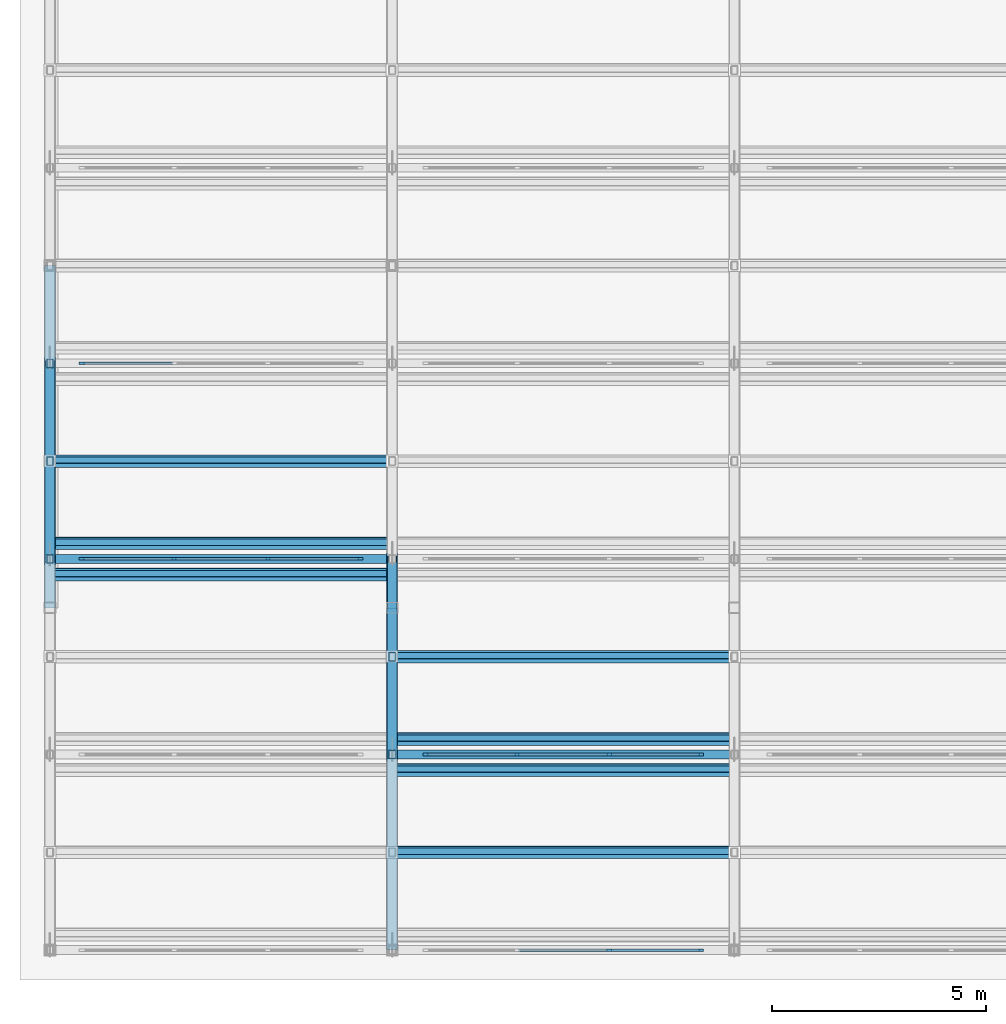
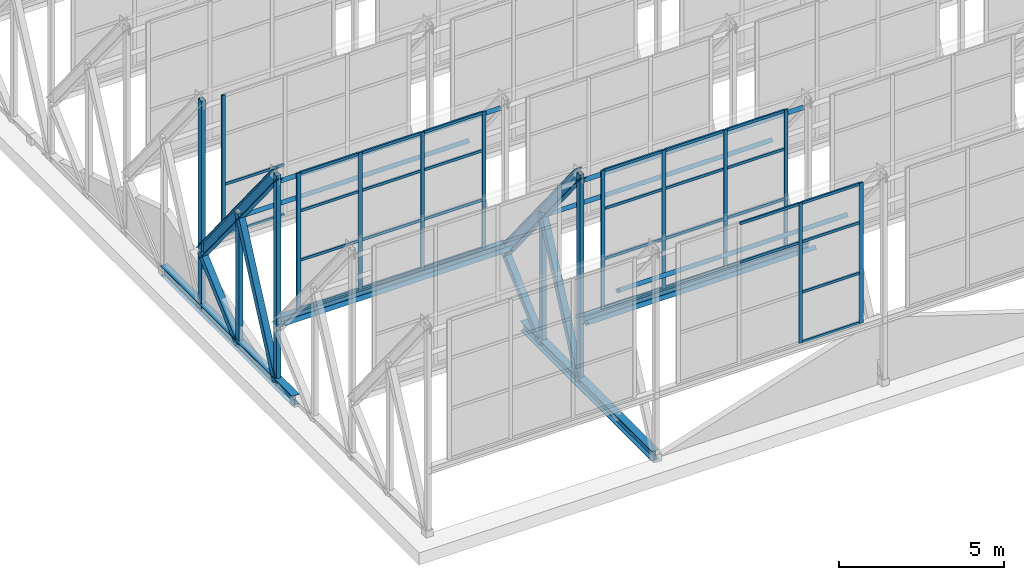
# One storey, part 7 of 34: 61 members, 4 beams, 4 elements without a shape of their own.
"""IFC4 building model written with IfcOpenShell, lengths in metres."""

from ifc_helpers import new_model, si_unit, direction, frame, origin, origin_2d, place, context, subcontext, project, spatial, rectangle, hollow_rectangle, i_section, extrude, material, layer, layer_set, material_profile, profile_set, type_object, element, aggregate, save


model = new_model("IFC4")

# Units and contexts
model_context = context("Model", 3, precision=1e-05, world=origin(), true_north=direction((0.0, 1.0)))
body_context = subcontext(model_context, "Body", "Model", "MODEL_VIEW")
ifc_project = project(units=[si_unit("LENGTHUNIT", "METRE"), si_unit("AREAUNIT", "SQUARE_METRE"), si_unit("VOLUMEUNIT", "CUBIC_METRE"), si_unit("PLANEANGLEUNIT", "RADIAN"), si_unit("MASSUNIT", "GRAM", prefix="KILO")], contexts=[model_context])

# Site, building, storey
site_placement = place(None, origin())
site = spatial("IfcSite", under=ifc_project, at=site_placement, CompositionType="ELEMENT")
building_placement = place(site_placement, origin())
building = spatial("IfcBuilding", under=site, at=building_placement, Name="Qorikala Patio Media Centre", CompositionType="ELEMENT")
storey_placement = place(building_placement, frame((0.0, 0.0, 32.699951171875)))
storey = spatial("IfcBuildingStorey", under=building, at=storey_placement, Name="RF", CompositionType="ELEMENT", Elevation=32.699951171875)

# Members
ifc_material_1 = material(Name="Steel S355", Category="steel")
ifc_material_profile_1 = material_profile(ifc_material_1, hollow_rectangle(XDim=0.219970703125, YDim=0.219970703125, WallThickness=0.010009765625, at=origin_2d()), Name="HSS220X220X10")
ifc_profile_set_1 = profile_set([ifc_material_profile_1], Name="Steel S355")
member_type_1 = type_object("IfcMemberType", Name="BRACE-HSS220", PredefinedType="BRACE", material=ifc_profile_set_1)
member_1_placement = place(storey_placement, frame((3.0, 12.142822265625, 0.35009765625), z_axis=(0.0, 0.424545396895, 0.90540665227), x_axis=(-1.0, 0.0, 0.0)))
element("IfcMember", 1, at=member_1_placement, inside=storey, type_object=member_type_1, Name="SAW-V1 Truss 1 Bay 3 Web Diagonal 1", PredefinedType="BRACE", context=body_context, shape_type="SweptSolid", body=[
    extrude(hollow_rectangle(XDim=0.219970703125, YDim=0.219970703125, WallThickness=0.010009765625, at=origin_2d()), origin(), (0.0, 0.0, 1.0), 5.38427734375),
])
member_2_placement = place(storey_placement, frame((3.0, 14.4287109375, 0.35009765625), z_axis=(0.0, 0.744431778243, 0.667698530432), x_axis=(-1.0, 0.0, 0.0)))
element("IfcMember", 2, at=member_2_placement, inside=storey, type_object=member_type_1, Name="SAW-V1 Truss 1 Bay 3 Web Diagonal 2", PredefinedType="BRACE", context=body_context, shape_type="SweptSolid", body=[
    extrude(hollow_rectangle(XDim=0.219970703125, YDim=0.219970703125, WallThickness=0.010009765625, at=origin_2d()), origin(), (0.0, 0.0, 1.0), 3.0703125),
])
member_3_placement = place(storey_placement, frame((11.0, 7.5712890625, 0.35009765625), z_axis=(0.0, 0.424545396895, 0.90540665227), x_axis=(-1.0, 0.0, 0.0)))
element("IfcMember", 3, at=member_3_placement, inside=storey, type_object=member_type_1, Name="SAW-V1 Truss 2 Bay 2 Web Diagonal 1", PredefinedType="BRACE", context=body_context, shape_type="SweptSolid", body=[
    extrude(hollow_rectangle(XDim=0.219970703125, YDim=0.219970703125, WallThickness=0.010009765625, at=origin_2d()), origin(), (0.0, 0.0, 1.0), 5.38427734375),
])
member_4_placement = place(storey_placement, frame((11.0, 9.857177734375, 0.35009765625), z_axis=(0.0, 0.744431778243, 0.667698530432), x_axis=(-1.0, 0.0, 0.0)))
element("IfcMember", 4, at=member_4_placement, inside=storey, type_object=member_type_1, Name="SAW-V1 Truss 2 Bay 2 Web Diagonal 2", PredefinedType="BRACE", context=body_context, shape_type="SweptSolid", body=[
    extrude(hollow_rectangle(XDim=0.219970703125, YDim=0.219970703125, WallThickness=0.010009765625, at=origin_2d()), origin(), (0.0, 0.0, 1.0), 3.0703125),
])
ifc_material_profile_2 = material_profile(ifc_material_1, i_section(OverallWidth=0.257080078125, OverallDepth=0.363037109375, WebThickness=0.012939453125, FlangeThickness=0.021728515625, at=origin_2d()), Name="W360X122")
ifc_profile_set_2 = profile_set([ifc_material_profile_2], Name="Steel S355")
member_type_2 = type_object("IfcMemberType", Name="CHORD-W360X122", PredefinedType="CHORD", material=ifc_profile_set_2)
for number, where, z_axis, x_axis, name in (
    (5, (3.0, 12.142822265625, 8.050048828125), (0.0, 0.629015570493, -0.777392701327), (-1.0, 0.0, 0.0), "SAW-V1 Truss 1 Bay 3 Sloped Top Chord"),
    (6, (11.0, 7.5712890625, 8.050048828125), (0.0, 0.629015570493, -0.777392701327), (-1.0, 0.0, 0.0), "SAW-V1 Truss 2 Bay 2 Sloped Top Chord"),
):
    element("IfcMember", number, at=place(storey_placement, frame(where, z_axis=z_axis, x_axis=x_axis)), inside=storey, type_object=member_type_2, Name=name, PredefinedType="CHORD", context=body_context, shape_type="SweptSolid", body=[
        extrude(i_section(OverallWidth=0.257080078125, OverallDepth=0.363037109375, WebThickness=0.012939453125, FlangeThickness=0.021728515625, at=origin_2d()), origin(), (0.0, 0.0, 1.0), 7.267822265625),
    ])

# Curtain wall, members
ifc_material_2 = material(Name="Bronze Anodised Aluminium and Low-E Glass", Category="aluminium")
ifc_layer_1 = layer(ifc_material_2, 0.159912109375)
ifc_layer_set_1 = layer_set([ifc_layer_1], Name="Bronze Anodised Aluminium and Low-E Glass")
curtain_wall_type_1 = type_object("IfcCurtainWallType", Name="CW-SAW-648X520", PredefinedType="USERDEFINED", material=ifc_layer_set_1)
curtain_wall_1_placement = place(storey_placement, origin())
curtain_wall_1 = element("IfcCurtainWall", 7, at=curtain_wall_1_placement, inside=storey, type_object=curtain_wall_type_1, Name="RF Sawtooth Glazing 108", ObjectType="SAWTOOTH GLAZING", PredefinedType="USERDEFINED")
ifc_material_3 = material(Name="Bronze Anodised Aluminium", Category="aluminium")
ifc_material_profile_3 = material_profile(ifc_material_3, rectangle(XDim=0.06005859375, YDim=0.1298828125, at=origin_2d()), Name="ALU MULLION 60x130")
ifc_profile_set_3 = profile_set([ifc_material_profile_3], Name="Bronze Anodised Aluminium")
member_type_3 = type_object("IfcMemberType", Name="CWM-60X130", PredefinedType="MULLION", material=ifc_profile_set_3)
member_5_placement = place(storey_placement, frame((16.080078125, 3.0, 2.75), z_axis=(0.0, 0.0, 1.0), x_axis=(0.0, 1.0, 0.0)))
member_5 = element("IfcMember", 8, at=member_5_placement, type_object=member_type_3, Name="CWS648520 mullion 3", PredefinedType="MULLION", context=body_context, shape_type="SweptSolid", body=[
    extrude(rectangle(XDim=0.06005859375, YDim=0.1298828125, at=origin_2d()), origin(), (0.0, 0.0, 1.0), 5.199951171875),
])
member_6_placement = place(storey_placement, frame((18.2099609375, 3.0, 2.75), z_axis=(0.0, 0.0, 1.0), x_axis=(0.0, 1.0, 0.0)))
member_6 = element("IfcMember", 9, at=member_6_placement, type_object=member_type_3, Name="CWS648520 mullion 4", PredefinedType="MULLION", context=body_context, shape_type="SweptSolid", body=[
    extrude(rectangle(XDim=0.06005859375, YDim=0.1298828125, at=origin_2d()), origin(), (0.0, 0.0, 1.0), 5.199951171875),
])

ifc_layer_2 = layer(ifc_material_2, 0.159912109375)
ifc_layer_set_2 = layer_set([ifc_layer_2], Name="Bronze Anodised Aluminium and Low-E Glass")
curtain_wall_type_2 = type_object("IfcCurtainWallType", Name="CW-SAW-648X514", PredefinedType="USERDEFINED", material=ifc_layer_set_2)
curtain_wall_2_placement = place(storey_placement, origin())
curtain_wall_2 = element("IfcCurtainWall", 10, at=curtain_wall_2_placement, inside=storey, type_object=curtain_wall_type_2, Name="RF Sawtooth Glazing 113", ObjectType="SAWTOOTH GLAZING", PredefinedType="USERDEFINED")
member_7_placement = place(storey_placement, frame((11.7900390625, 7.5712890625, 2.75), z_axis=(0.0, 0.0, 1.0), x_axis=(0.0, 1.0, 0.0)))
member_7 = element("IfcMember", 11, at=member_7_placement, type_object=member_type_3, Name="CWS648514 mullion 1", PredefinedType="MULLION", context=body_context, shape_type="SweptSolid", body=[
    extrude(rectangle(XDim=0.06005859375, YDim=0.1298828125, at=origin_2d()), origin(), (0.0, 0.0, 1.0), 5.14013671875),
])
member_8_placement = place(storey_placement, frame((13.919921875, 7.5712890625, 2.75), z_axis=(0.0, 0.0, 1.0), x_axis=(0.0, 1.0, 0.0)))
member_8 = element("IfcMember", 12, at=member_8_placement, type_object=member_type_3, Name="CWS648514 mullion 2", PredefinedType="MULLION", context=body_context, shape_type="SweptSolid", body=[
    extrude(rectangle(XDim=0.06005859375, YDim=0.1298828125, at=origin_2d()), origin(), (0.0, 0.0, 1.0), 5.14013671875),
])
member_9_placement = place(storey_placement, frame((16.080078125, 7.5712890625, 2.75), z_axis=(0.0, 0.0, 1.0), x_axis=(0.0, 1.0, 0.0)))
member_9 = element("IfcMember", 13, at=member_9_placement, type_object=member_type_3, Name="CWS648514 mullion 3", PredefinedType="MULLION", context=body_context, shape_type="SweptSolid", body=[
    extrude(rectangle(XDim=0.06005859375, YDim=0.1298828125, at=origin_2d()), origin(), (0.0, 0.0, 1.0), 5.14013671875),
])
member_10_placement = place(storey_placement, frame((18.2099609375, 7.5712890625, 2.75), z_axis=(0.0, 0.0, 1.0), x_axis=(0.0, 1.0, 0.0)))
member_10 = element("IfcMember", 14, at=member_10_placement, type_object=member_type_3, Name="CWS648514 mullion 4", PredefinedType="MULLION", context=body_context, shape_type="SweptSolid", body=[
    extrude(rectangle(XDim=0.06005859375, YDim=0.1298828125, at=origin_2d()), origin(), (0.0, 0.0, 1.0), 5.14013671875),
])

ifc_layer_3 = layer(ifc_material_2, 0.159912109375)
ifc_layer_set_3 = layer_set([ifc_layer_3], Name="Bronze Anodised Aluminium and Low-E Glass")
curtain_wall_type_3 = type_object("IfcCurtainWallType", Name="CW-SAW-656X508", PredefinedType="USERDEFINED", material=ifc_layer_set_3)
curtain_wall_3_placement = place(storey_placement, origin())
curtain_wall_3 = element("IfcCurtainWall", 15, at=curtain_wall_3_placement, inside=storey, type_object=curtain_wall_type_3, Name="RF Sawtooth Glazing 117", ObjectType="SAWTOOTH GLAZING", PredefinedType="USERDEFINED")
member_11_placement = place(storey_placement, frame((3.75, 12.142822265625, 2.75), z_axis=(0.0, 0.0, 1.0), x_axis=(0.0, 1.0, 0.0)))
member_11 = element("IfcMember", 16, at=member_11_placement, type_object=member_type_3, Name="CWS656508 mullion 1", PredefinedType="MULLION", context=body_context, shape_type="SweptSolid", body=[
    extrude(rectangle(XDim=0.06005859375, YDim=0.1298828125, at=origin_2d()), origin(), (0.0, 0.0, 1.0), 5.080078125),
])
member_12_placement = place(storey_placement, frame((5.90673828125, 12.142822265625, 2.75), z_axis=(0.0, 0.0, 1.0), x_axis=(0.0, 1.0, 0.0)))
member_12 = element("IfcMember", 17, at=member_12_placement, type_object=member_type_3, Name="CWS656508 mullion 2", PredefinedType="MULLION", context=body_context, shape_type="SweptSolid", body=[
    extrude(rectangle(XDim=0.06005859375, YDim=0.1298828125, at=origin_2d()), origin(), (0.0, 0.0, 1.0), 5.080078125),
])
member_13_placement = place(storey_placement, frame((8.09326171875, 12.142822265625, 2.75), z_axis=(0.0, 0.0, 1.0), x_axis=(0.0, 1.0, 0.0)))
member_13 = element("IfcMember", 18, at=member_13_placement, type_object=member_type_3, Name="CWS656508 mullion 3", PredefinedType="MULLION", context=body_context, shape_type="SweptSolid", body=[
    extrude(rectangle(XDim=0.06005859375, YDim=0.1298828125, at=origin_2d()), origin(), (0.0, 0.0, 1.0), 5.080078125),
])
member_14_placement = place(storey_placement, frame((10.25, 12.142822265625, 2.75), z_axis=(0.0, 0.0, 1.0), x_axis=(0.0, 1.0, 0.0)))
member_14 = element("IfcMember", 19, at=member_14_placement, type_object=member_type_3, Name="CWS656508 mullion 4", PredefinedType="MULLION", context=body_context, shape_type="SweptSolid", body=[
    extrude(rectangle(XDim=0.06005859375, YDim=0.1298828125, at=origin_2d()), origin(), (0.0, 0.0, 1.0), 5.080078125),
])

# Curtain wall, member
ifc_layer_4 = layer(ifc_material_2, 0.159912109375)
ifc_layer_set_4 = layer_set([ifc_layer_4], Name="Bronze Anodised Aluminium and Low-E Glass")
curtain_wall_type_4 = type_object("IfcCurtainWallType", Name="CW-SAW-656X520", PredefinedType="USERDEFINED", material=ifc_layer_set_4)
curtain_wall_4_placement = place(storey_placement, origin())
curtain_wall_4 = element("IfcCurtainWall", 20, at=curtain_wall_4_placement, inside=storey, type_object=curtain_wall_type_4, Name="RF Sawtooth Glazing 122", ObjectType="SAWTOOTH GLAZING", PredefinedType="USERDEFINED")
member_15_placement = place(storey_placement, frame((3.75, 16.71435546875, 2.75), z_axis=(0.0, 0.0, 1.0), x_axis=(0.0, 1.0, 0.0)))
member_15 = element("IfcMember", 21, at=member_15_placement, type_object=member_type_3, Name="CWS656520 mullion 1", PredefinedType="MULLION", context=body_context, shape_type="SweptSolid", body=[
    extrude(rectangle(XDim=0.06005859375, YDim=0.1298828125, at=origin_2d()), origin(), (0.0, 0.0, 1.0), 5.199951171875),
])

# Member
ifc_material_profile_4 = material_profile(ifc_material_3, rectangle(XDim=0.06005859375, YDim=0.10009765625, at=origin_2d()), Name="ALU TRANSOM 60x100")
ifc_profile_set_4 = profile_set([ifc_material_profile_4], Name="Bronze Anodised Aluminium")
member_type_4 = type_object("IfcMemberType", Name="CWT-60X100", PredefinedType="USERDEFINED", material=ifc_profile_set_4)
member_16_placement = place(storey_placement, frame((13.949951171875, 3.0, 6.494140625), z_axis=(1.0, 0.0, 0.0), x_axis=(0.0, 1.0, 0.0)))
member_16 = element("IfcMember", 22, at=member_16_placement, type_object=member_type_4, Name="CWS648520 transom 2.3", ObjectType="TRANSOM", PredefinedType="USERDEFINED", context=body_context, shape_type="SweptSolid", body=[
    extrude(rectangle(XDim=0.06005859375, YDim=0.10009765625, at=origin_2d()), origin(), (0.0, 0.0, 1.0), 2.10009765625),
])

member_17_placement = place(storey_placement, frame((13.949951171875, 3.0, 7.920166015625), z_axis=(1.0, 0.0, 0.0), x_axis=(0.0, 1.0, 0.0)))
member_17 = element("IfcMember", 23, at=member_17_placement, type_object=member_type_4, Name="CWS648520 transom 2.4", ObjectType="TRANSOM", PredefinedType="USERDEFINED", context=body_context, shape_type="SweptSolid", body=[
    extrude(rectangle(XDim=0.06005859375, YDim=0.10009765625, at=origin_2d()), origin(), (0.0, 0.0, 1.0), 2.10009765625),
])

member_18_placement = place(storey_placement, frame((16.110107421875, 3.0, 2.780029296875), z_axis=(1.0, 0.0, 0.0), x_axis=(0.0, 1.0, 0.0)))
member_18 = element("IfcMember", 24, at=member_18_placement, type_object=member_type_4, Name="CWS648520 transom 3.1", ObjectType="TRANSOM", PredefinedType="USERDEFINED", context=body_context, shape_type="SweptSolid", body=[
    extrude(rectangle(XDim=0.06005859375, YDim=0.10009765625, at=origin_2d()), origin(), (0.0, 0.0, 1.0), 2.06982421875),
])

member_19_placement = place(storey_placement, frame((16.110107421875, 3.0, 4.6220703125), z_axis=(1.0, 0.0, 0.0), x_axis=(0.0, 1.0, 0.0)))
member_19 = element("IfcMember", 25, at=member_19_placement, type_object=member_type_4, Name="CWS648520 transom 3.2", ObjectType="TRANSOM", PredefinedType="USERDEFINED", context=body_context, shape_type="SweptSolid", body=[
    extrude(rectangle(XDim=0.06005859375, YDim=0.10009765625, at=origin_2d()), origin(), (0.0, 0.0, 1.0), 2.06982421875),
])

member_20_placement = place(storey_placement, frame((16.110107421875, 3.0, 6.494140625), z_axis=(1.0, 0.0, 0.0), x_axis=(0.0, 1.0, 0.0)))
member_20 = element("IfcMember", 26, at=member_20_placement, type_object=member_type_4, Name="CWS648520 transom 3.3", ObjectType="TRANSOM", PredefinedType="USERDEFINED", context=body_context, shape_type="SweptSolid", body=[
    extrude(rectangle(XDim=0.06005859375, YDim=0.10009765625, at=origin_2d()), origin(), (0.0, 0.0, 1.0), 2.06982421875),
])

member_21_placement = place(storey_placement, frame((16.110107421875, 3.0, 7.920166015625), z_axis=(1.0, 0.0, 0.0), x_axis=(0.0, 1.0, 0.0)))
member_21 = element("IfcMember", 27, at=member_21_placement, type_object=member_type_4, Name="CWS648520 transom 3.4", ObjectType="TRANSOM", PredefinedType="USERDEFINED", context=body_context, shape_type="SweptSolid", body=[
    extrude(rectangle(XDim=0.06005859375, YDim=0.10009765625, at=origin_2d()), origin(), (0.0, 0.0, 1.0), 2.06982421875),
])

aggregate(curtain_wall_1, [member_5, member_6, member_16, member_17, member_18, member_19, member_20, member_21])

member_22_placement = place(storey_placement, frame((11.820068359375, 7.5712890625, 2.780029296875), z_axis=(1.0, 0.0, 0.0), x_axis=(0.0, 1.0, 0.0)))
member_22 = element("IfcMember", 28, at=member_22_placement, type_object=member_type_4, Name="CWS648514 transom 1.1", ObjectType="TRANSOM", PredefinedType="USERDEFINED", context=body_context, shape_type="SweptSolid", body=[
    extrude(rectangle(XDim=0.06005859375, YDim=0.10009765625, at=origin_2d()), origin(), (0.0, 0.0, 1.0), 2.06982421875),
])

member_23_placement = place(storey_placement, frame((11.820068359375, 7.5712890625, 4.600341796875), z_axis=(1.0, 0.0, 0.0), x_axis=(0.0, 1.0, 0.0)))
member_23 = element("IfcMember", 29, at=member_23_placement, type_object=member_type_4, Name="CWS648514 transom 1.2", ObjectType="TRANSOM", PredefinedType="USERDEFINED", context=body_context, shape_type="SweptSolid", body=[
    extrude(rectangle(XDim=0.06005859375, YDim=0.10009765625, at=origin_2d()), origin(), (0.0, 0.0, 1.0), 2.06982421875),
])

member_24_placement = place(storey_placement, frame((11.820068359375, 7.5712890625, 6.450927734375), z_axis=(1.0, 0.0, 0.0), x_axis=(0.0, 1.0, 0.0)))
member_24 = element("IfcMember", 30, at=member_24_placement, type_object=member_type_4, Name="CWS648514 transom 1.3", ObjectType="TRANSOM", PredefinedType="USERDEFINED", context=body_context, shape_type="SweptSolid", body=[
    extrude(rectangle(XDim=0.06005859375, YDim=0.10009765625, at=origin_2d()), origin(), (0.0, 0.0, 1.0), 2.06982421875),
])

member_25_placement = place(storey_placement, frame((11.820068359375, 7.5712890625, 7.860107421875), z_axis=(1.0, 0.0, 0.0), x_axis=(0.0, 1.0, 0.0)))
member_25 = element("IfcMember", 31, at=member_25_placement, type_object=member_type_4, Name="CWS648514 transom 1.4", ObjectType="TRANSOM", PredefinedType="USERDEFINED", context=body_context, shape_type="SweptSolid", body=[
    extrude(rectangle(XDim=0.06005859375, YDim=0.10009765625, at=origin_2d()), origin(), (0.0, 0.0, 1.0), 2.06982421875),
])

member_26_placement = place(storey_placement, frame((13.949951171875, 7.5712890625, 2.780029296875), z_axis=(1.0, 0.0, 0.0), x_axis=(0.0, 1.0, 0.0)))
member_26 = element("IfcMember", 32, at=member_26_placement, type_object=member_type_4, Name="CWS648514 transom 2.1", ObjectType="TRANSOM", PredefinedType="USERDEFINED", context=body_context, shape_type="SweptSolid", body=[
    extrude(rectangle(XDim=0.06005859375, YDim=0.10009765625, at=origin_2d()), origin(), (0.0, 0.0, 1.0), 2.10009765625),
])

member_27_placement = place(storey_placement, frame((13.949951171875, 7.5712890625, 4.600341796875), z_axis=(1.0, 0.0, 0.0), x_axis=(0.0, 1.0, 0.0)))
member_27 = element("IfcMember", 33, at=member_27_placement, type_object=member_type_4, Name="CWS648514 transom 2.2", ObjectType="TRANSOM", PredefinedType="USERDEFINED", context=body_context, shape_type="SweptSolid", body=[
    extrude(rectangle(XDim=0.06005859375, YDim=0.10009765625, at=origin_2d()), origin(), (0.0, 0.0, 1.0), 2.10009765625),
])

member_28_placement = place(storey_placement, frame((13.949951171875, 7.5712890625, 6.450927734375), z_axis=(1.0, 0.0, 0.0), x_axis=(0.0, 1.0, 0.0)))
member_28 = element("IfcMember", 34, at=member_28_placement, type_object=member_type_4, Name="CWS648514 transom 2.3", ObjectType="TRANSOM", PredefinedType="USERDEFINED", context=body_context, shape_type="SweptSolid", body=[
    extrude(rectangle(XDim=0.06005859375, YDim=0.10009765625, at=origin_2d()), origin(), (0.0, 0.0, 1.0), 2.10009765625),
])

member_29_placement = place(storey_placement, frame((13.949951171875, 7.5712890625, 7.860107421875), z_axis=(1.0, 0.0, 0.0), x_axis=(0.0, 1.0, 0.0)))
member_29 = element("IfcMember", 35, at=member_29_placement, type_object=member_type_4, Name="CWS648514 transom 2.4", ObjectType="TRANSOM", PredefinedType="USERDEFINED", context=body_context, shape_type="SweptSolid", body=[
    extrude(rectangle(XDim=0.06005859375, YDim=0.10009765625, at=origin_2d()), origin(), (0.0, 0.0, 1.0), 2.10009765625),
])

member_30_placement = place(storey_placement, frame((16.110107421875, 7.5712890625, 2.780029296875), z_axis=(1.0, 0.0, 0.0), x_axis=(0.0, 1.0, 0.0)))
member_30 = element("IfcMember", 36, at=member_30_placement, type_object=member_type_4, Name="CWS648514 transom 3.1", ObjectType="TRANSOM", PredefinedType="USERDEFINED", context=body_context, shape_type="SweptSolid", body=[
    extrude(rectangle(XDim=0.06005859375, YDim=0.10009765625, at=origin_2d()), origin(), (0.0, 0.0, 1.0), 2.06982421875),
])

member_31_placement = place(storey_placement, frame((16.110107421875, 7.5712890625, 4.600341796875), z_axis=(1.0, 0.0, 0.0), x_axis=(0.0, 1.0, 0.0)))
member_31 = element("IfcMember", 37, at=member_31_placement, type_object=member_type_4, Name="CWS648514 transom 3.2", ObjectType="TRANSOM", PredefinedType="USERDEFINED", context=body_context, shape_type="SweptSolid", body=[
    extrude(rectangle(XDim=0.06005859375, YDim=0.10009765625, at=origin_2d()), origin(), (0.0, 0.0, 1.0), 2.06982421875),
])

member_32_placement = place(storey_placement, frame((16.110107421875, 7.5712890625, 6.450927734375), z_axis=(1.0, 0.0, 0.0), x_axis=(0.0, 1.0, 0.0)))
member_32 = element("IfcMember", 38, at=member_32_placement, type_object=member_type_4, Name="CWS648514 transom 3.3", ObjectType="TRANSOM", PredefinedType="USERDEFINED", context=body_context, shape_type="SweptSolid", body=[
    extrude(rectangle(XDim=0.06005859375, YDim=0.10009765625, at=origin_2d()), origin(), (0.0, 0.0, 1.0), 2.06982421875),
])

member_33_placement = place(storey_placement, frame((16.110107421875, 7.5712890625, 7.860107421875), z_axis=(1.0, 0.0, 0.0), x_axis=(0.0, 1.0, 0.0)))
member_33 = element("IfcMember", 39, at=member_33_placement, type_object=member_type_4, Name="CWS648514 transom 3.4", ObjectType="TRANSOM", PredefinedType="USERDEFINED", context=body_context, shape_type="SweptSolid", body=[
    extrude(rectangle(XDim=0.06005859375, YDim=0.10009765625, at=origin_2d()), origin(), (0.0, 0.0, 1.0), 2.06982421875),
])

aggregate(curtain_wall_2, [member_7, member_8, member_9, member_10, member_22, member_23, member_24, member_25, member_26, member_27, member_28, member_29, member_30, member_31, member_32, member_33])

member_34_placement = place(storey_placement, frame((3.780029296875, 12.142822265625, 2.780029296875), z_axis=(1.0, 0.0, 0.0), x_axis=(0.0, 1.0, 0.0)))
member_34 = element("IfcMember", 40, at=member_34_placement, type_object=member_type_4, Name="CWS656508 transom 1.1", ObjectType="TRANSOM", PredefinedType="USERDEFINED", context=body_context, shape_type="SweptSolid", body=[
    extrude(rectangle(XDim=0.06005859375, YDim=0.10009765625, at=origin_2d()), origin(), (0.0, 0.0, 1.0), 2.0966796875),
])

member_35_placement = place(storey_placement, frame((3.780029296875, 12.142822265625, 4.578857421875), z_axis=(1.0, 0.0, 0.0), x_axis=(0.0, 1.0, 0.0)))
member_35 = element("IfcMember", 41, at=member_35_placement, type_object=member_type_4, Name="CWS656508 transom 1.2", ObjectType="TRANSOM", PredefinedType="USERDEFINED", context=body_context, shape_type="SweptSolid", body=[
    extrude(rectangle(XDim=0.06005859375, YDim=0.10009765625, at=origin_2d()), origin(), (0.0, 0.0, 1.0), 2.0966796875),
])

member_36_placement = place(storey_placement, frame((3.780029296875, 12.142822265625, 6.40771484375), z_axis=(1.0, 0.0, 0.0), x_axis=(0.0, 1.0, 0.0)))
member_36 = element("IfcMember", 42, at=member_36_placement, type_object=member_type_4, Name="CWS656508 transom 1.3", ObjectType="TRANSOM", PredefinedType="USERDEFINED", context=body_context, shape_type="SweptSolid", body=[
    extrude(rectangle(XDim=0.06005859375, YDim=0.10009765625, at=origin_2d()), origin(), (0.0, 0.0, 1.0), 2.0966796875),
])

member_37_placement = place(storey_placement, frame((3.780029296875, 12.142822265625, 7.800048828125), z_axis=(1.0, 0.0, 0.0), x_axis=(0.0, 1.0, 0.0)))
member_37 = element("IfcMember", 43, at=member_37_placement, type_object=member_type_4, Name="CWS656508 transom 1.4", ObjectType="TRANSOM", PredefinedType="USERDEFINED", context=body_context, shape_type="SweptSolid", body=[
    extrude(rectangle(XDim=0.06005859375, YDim=0.10009765625, at=origin_2d()), origin(), (0.0, 0.0, 1.0), 2.0966796875),
])

member_38_placement = place(storey_placement, frame((5.936767578125, 12.142822265625, 2.780029296875), z_axis=(1.0, 0.0, 0.0), x_axis=(0.0, 1.0, 0.0)))
member_38 = element("IfcMember", 44, at=member_38_placement, type_object=member_type_4, Name="CWS656508 transom 2.1", ObjectType="TRANSOM", PredefinedType="USERDEFINED", context=body_context, shape_type="SweptSolid", body=[
    extrude(rectangle(XDim=0.06005859375, YDim=0.10009765625, at=origin_2d()), origin(), (0.0, 0.0, 1.0), 2.12646484375),
])

member_39_placement = place(storey_placement, frame((5.936767578125, 12.142822265625, 4.578857421875), z_axis=(1.0, 0.0, 0.0), x_axis=(0.0, 1.0, 0.0)))
member_39 = element("IfcMember", 45, at=member_39_placement, type_object=member_type_4, Name="CWS656508 transom 2.2", ObjectType="TRANSOM", PredefinedType="USERDEFINED", context=body_context, shape_type="SweptSolid", body=[
    extrude(rectangle(XDim=0.06005859375, YDim=0.10009765625, at=origin_2d()), origin(), (0.0, 0.0, 1.0), 2.12646484375),
])

member_40_placement = place(storey_placement, frame((5.936767578125, 12.142822265625, 6.40771484375), z_axis=(1.0, 0.0, 0.0), x_axis=(0.0, 1.0, 0.0)))
member_40 = element("IfcMember", 46, at=member_40_placement, type_object=member_type_4, Name="CWS656508 transom 2.3", ObjectType="TRANSOM", PredefinedType="USERDEFINED", context=body_context, shape_type="SweptSolid", body=[
    extrude(rectangle(XDim=0.06005859375, YDim=0.10009765625, at=origin_2d()), origin(), (0.0, 0.0, 1.0), 2.12646484375),
])

member_41_placement = place(storey_placement, frame((5.936767578125, 12.142822265625, 7.800048828125), z_axis=(1.0, 0.0, 0.0), x_axis=(0.0, 1.0, 0.0)))
member_41 = element("IfcMember", 47, at=member_41_placement, type_object=member_type_4, Name="CWS656508 transom 2.4", ObjectType="TRANSOM", PredefinedType="USERDEFINED", context=body_context, shape_type="SweptSolid", body=[
    extrude(rectangle(XDim=0.06005859375, YDim=0.10009765625, at=origin_2d()), origin(), (0.0, 0.0, 1.0), 2.12646484375),
])

member_42_placement = place(storey_placement, frame((8.123291015625, 12.142822265625, 2.780029296875), z_axis=(1.0, 0.0, 0.0), x_axis=(0.0, 1.0, 0.0)))
member_42 = element("IfcMember", 48, at=member_42_placement, type_object=member_type_4, Name="CWS656508 transom 3.1", ObjectType="TRANSOM", PredefinedType="USERDEFINED", context=body_context, shape_type="SweptSolid", body=[
    extrude(rectangle(XDim=0.06005859375, YDim=0.10009765625, at=origin_2d()), origin(), (0.0, 0.0, 1.0), 2.0966796875),
])

member_43_placement = place(storey_placement, frame((8.123291015625, 12.142822265625, 4.578857421875), z_axis=(1.0, 0.0, 0.0), x_axis=(0.0, 1.0, 0.0)))
member_43 = element("IfcMember", 49, at=member_43_placement, type_object=member_type_4, Name="CWS656508 transom 3.2", ObjectType="TRANSOM", PredefinedType="USERDEFINED", context=body_context, shape_type="SweptSolid", body=[
    extrude(rectangle(XDim=0.06005859375, YDim=0.10009765625, at=origin_2d()), origin(), (0.0, 0.0, 1.0), 2.0966796875),
])

member_44_placement = place(storey_placement, frame((8.123291015625, 12.142822265625, 6.40771484375), z_axis=(1.0, 0.0, 0.0), x_axis=(0.0, 1.0, 0.0)))
member_44 = element("IfcMember", 50, at=member_44_placement, type_object=member_type_4, Name="CWS656508 transom 3.3", ObjectType="TRANSOM", PredefinedType="USERDEFINED", context=body_context, shape_type="SweptSolid", body=[
    extrude(rectangle(XDim=0.06005859375, YDim=0.10009765625, at=origin_2d()), origin(), (0.0, 0.0, 1.0), 2.0966796875),
])

member_45_placement = place(storey_placement, frame((8.123291015625, 12.142822265625, 7.800048828125), z_axis=(1.0, 0.0, 0.0), x_axis=(0.0, 1.0, 0.0)))
member_45 = element("IfcMember", 51, at=member_45_placement, type_object=member_type_4, Name="CWS656508 transom 3.4", ObjectType="TRANSOM", PredefinedType="USERDEFINED", context=body_context, shape_type="SweptSolid", body=[
    extrude(rectangle(XDim=0.06005859375, YDim=0.10009765625, at=origin_2d()), origin(), (0.0, 0.0, 1.0), 2.0966796875),
])

aggregate(curtain_wall_3, [member_11, member_12, member_13, member_14, member_34, member_35, member_36, member_37, member_38, member_39, member_40, member_41, member_42, member_43, member_44, member_45])

member_46_placement = place(storey_placement, frame((3.780029296875, 16.71435546875, 2.780029296875), z_axis=(1.0, 0.0, 0.0), x_axis=(0.0, 1.0, 0.0)))
member_46 = element("IfcMember", 52, at=member_46_placement, type_object=member_type_4, Name="CWS656520 transom 1.1", ObjectType="TRANSOM", PredefinedType="USERDEFINED", context=body_context, shape_type="SweptSolid", body=[
    extrude(rectangle(XDim=0.06005859375, YDim=0.10009765625, at=origin_2d()), origin(), (0.0, 0.0, 1.0), 2.0966796875),
])

member_47_placement = place(storey_placement, frame((3.780029296875, 16.71435546875, 4.6220703125), z_axis=(1.0, 0.0, 0.0), x_axis=(0.0, 1.0, 0.0)))
member_47 = element("IfcMember", 53, at=member_47_placement, type_object=member_type_4, Name="CWS656520 transom 1.2", ObjectType="TRANSOM", PredefinedType="USERDEFINED", context=body_context, shape_type="SweptSolid", body=[
    extrude(rectangle(XDim=0.06005859375, YDim=0.10009765625, at=origin_2d()), origin(), (0.0, 0.0, 1.0), 2.0966796875),
])

aggregate(curtain_wall_4, [member_15, member_46, member_47])

# Members
ifc_material_profile_5 = material_profile(ifc_material_1, i_section(OverallWidth=0.14794921875, OverallDepth=0.26611328125, WebThickness=0.007568359375, FlangeThickness=0.012939453125, at=origin_2d()), Name="W250X45")
ifc_profile_set_5 = profile_set([ifc_material_profile_5], Name="Steel S355")
member_type_5 = type_object("IfcMemberType", Name="PURLIN-W250X45", PredefinedType="PURLIN", material=ifc_profile_set_5)
for number, where, z_axis, x_axis, name in (
    (54, (11.0, 5.28564453125, 5.077392578125), (1.0, 0.0, 0.0), (0.0, 0.62899480571, 0.777409502379), "SAW-V1 Bay 1 Roof Purlin"),
    (55, (11.0, 7.205810546875, 2.704345703125), (1.0, 0.0, 0.0), (0.0, 0.62899480571, 0.777409502379), "SAW-V1 Bay 1 Roof Purlin"),
    (56, (11.0, 7.93701171875, 7.450439453125), (1.0, 0.0, 0.0), (0.0, 0.62899480571, 0.777409502379), "SAW-V1 Bay 2 Roof Purlin"),
    (57, (11.0, 9.857177734375, 5.077392578125), (1.0, 0.0, 0.0), (0.0, 0.62899480571, 0.777409502379), "SAW-V1 Bay 2 Roof Purlin"),
    (58, (3.0, 11.777099609375, 2.704345703125), (1.0, 0.0, 0.0), (0.0, 0.62899480571, 0.777409502379), "SAW-V1 Bay 2 Roof Purlin"),
    (59, (3.0, 12.508544921875, 7.450439453125), (1.0, 0.0, 0.0), (0.0, 0.62899480571, 0.777409502379), "SAW-V1 Bay 3 Roof Purlin"),
    (60, (3.0, 14.4287109375, 5.077392578125), (1.0, 0.0, 0.0), (0.0, 0.62899480571, 0.777409502379), "SAW-V1 Bay 3 Roof Purlin"),
):
    element("IfcMember", number, at=place(storey_placement, frame(where, z_axis=z_axis, x_axis=x_axis)), inside=storey, type_object=member_type_5, Name=name, PredefinedType="PURLIN", context=body_context, shape_type="SweptSolid", body=[
        extrude(i_section(OverallWidth=0.14794921875, OverallDepth=0.26611328125, WebThickness=0.007568359375, FlangeThickness=0.012939453125, at=origin_2d()), origin(), (0.0, 0.0, 1.0), 8.0),
    ])

# Beams
ifc_material_profile_6 = material_profile(ifc_material_1, i_section(OverallWidth=0.202880859375, OverallDepth=0.251953125, WebThickness=0.008056640625, FlangeThickness=0.013427734375, at=origin_2d()), Name="W250X58")
ifc_profile_set_6 = profile_set([ifc_material_profile_6], Name="Steel S355")
beam_type_1 = type_object("IfcBeamType", Name="SBM-W250X58", PredefinedType="BEAM", material=ifc_profile_set_6)
for number, where, z_axis, x_axis, name in (
    (61, (11.0, 7.5712890625, 2.625), (1.0, 0.0, 0.0), (0.0, 1.0, 0.0), "Sawtooth V1 Clerestory Sill Beam 2.2"),
    (62, (3.0, 12.142822265625, 2.625), (1.0, 0.0, 0.0), (0.0, 1.0, 0.0), "Sawtooth V1 Clerestory Sill Beam 3.1"),
):
    element("IfcBeam", number, at=place(storey_placement, frame(where, z_axis=z_axis, x_axis=x_axis)), inside=storey, type_object=beam_type_1, Name=name, PredefinedType="BEAM", context=body_context, shape_type="SweptSolid", body=[
        extrude(i_section(OverallWidth=0.202880859375, OverallDepth=0.251953125, WebThickness=0.008056640625, FlangeThickness=0.013427734375, at=origin_2d()), origin(), (0.0, 0.0, 1.0), 8.0),
    ])
ifc_material_profile_7 = material_profile(ifc_material_1, i_section(OverallWidth=0.257080078125, OverallDepth=0.363037109375, WebThickness=0.012939453125, FlangeThickness=0.021728515625, at=origin_2d()), Name="W360X122")
ifc_profile_set_7 = profile_set([ifc_material_profile_7], Name="Steel S355")
beam_type_2 = type_object("IfcBeamType", Name="SBM-W360X122", PredefinedType="BEAM", material=ifc_profile_set_7)
for number, where, z_axis, x_axis, name in (
    (63, (3.0, 11.0, 0.35009765625), (0.0, 1.0, 0.0), (-1.0, 0.0, 0.0), "SAW-V1 Longitudinal Truss Tie Girder X=3"),
    (64, (11.0, 3.0, 0.35009765625), (0.0, 1.0, 0.0), (-1.0, 0.0, 0.0), "SAW-V1 Longitudinal Truss Tie Girder X=11"),
):
    element("IfcBeam", number, at=place(storey_placement, frame(where, z_axis=z_axis, x_axis=x_axis)), inside=storey, type_object=beam_type_2, Name=name, PredefinedType="BEAM", context=body_context, shape_type="SweptSolid", body=[
        extrude(i_section(OverallWidth=0.257080078125, OverallDepth=0.363037109375, WebThickness=0.012939453125, FlangeThickness=0.021728515625, at=origin_2d()), origin(), (0.0, 0.0, 1.0), 8.0),
    ])

# Members
ifc_material_profile_8 = material_profile(ifc_material_1, hollow_rectangle(XDim=0.14990234375, YDim=0.199951171875, WallThickness=0.008056640625, at=origin_2d()), Name="HSS200X150X8")
ifc_profile_set_8 = profile_set([ifc_material_profile_8], Name="Steel S355")
member_type_6 = type_object("IfcMemberType", Name="STRUT-HSS200", PredefinedType="STRUT", material=ifc_profile_set_8)
member_48_placement = place(storey_placement, frame((3.0, 12.142822265625, 0.35009765625), z_axis=(0.0, 0.0, 1.0), x_axis=(1.0, 0.0, 0.0)))
element("IfcMember", 65, at=member_48_placement, inside=storey, type_object=member_type_6, Name="SAW-V1 Truss 1 Bay 3 Clerestory Post", PredefinedType="STRUT", context=body_context, shape_type="SweptSolid", body=[
    extrude(hollow_rectangle(XDim=0.14990234375, YDim=0.199951171875, WallThickness=0.008056640625, at=origin_2d()), origin(), (0.0, 0.0, 1.0), 7.699951171875),
])
member_49_placement = place(storey_placement, frame((3.0, 14.4287109375, 0.35009765625), z_axis=(0.0, 0.0, 1.0), x_axis=(1.0, 0.0, 0.0)))
element("IfcMember", 66, at=member_49_placement, inside=storey, type_object=member_type_6, Name="SAW-V1 Truss 1 Bay 3 Mid Strut", PredefinedType="STRUT", context=body_context, shape_type="SweptSolid", body=[
    extrude(hollow_rectangle(XDim=0.14990234375, YDim=0.199951171875, WallThickness=0.008056640625, at=origin_2d()), origin(), (0.0, 0.0, 1.0), 4.875),
])
for number, where, z_axis, x_axis, name in (
    (67, (3.0, 16.71435546875, 0.35009765625), (0.0, 0.0, 1.0), (1.0, 0.0, 0.0), "SAW-V1 Truss 1 Bay 4 Clerestory Post"),
    (68, (11.0, 7.5712890625, 0.35009765625), (0.0, 0.0, 1.0), (1.0, 0.0, 0.0), "SAW-V1 Truss 2 Bay 2 Clerestory Post"),
):
    element("IfcMember", number, at=place(storey_placement, frame(where, z_axis=z_axis, x_axis=x_axis)), inside=storey, type_object=member_type_6, Name=name, PredefinedType="STRUT", context=body_context, shape_type="SweptSolid", body=[
        extrude(hollow_rectangle(XDim=0.14990234375, YDim=0.199951171875, WallThickness=0.008056640625, at=origin_2d()), origin(), (0.0, 0.0, 1.0), 7.699951171875),
    ])
member_50_placement = place(storey_placement, frame((11.0, 9.857177734375, 0.35009765625), z_axis=(0.0, 0.0, 1.0), x_axis=(1.0, 0.0, 0.0)))
element("IfcMember", 69, at=member_50_placement, inside=storey, type_object=member_type_6, Name="SAW-V1 Truss 2 Bay 2 Mid Strut", PredefinedType="STRUT", context=body_context, shape_type="SweptSolid", body=[
    extrude(hollow_rectangle(XDim=0.14990234375, YDim=0.199951171875, WallThickness=0.008056640625, at=origin_2d()), origin(), (0.0, 0.0, 1.0), 4.875),
])

save(model, "model.ifc")
